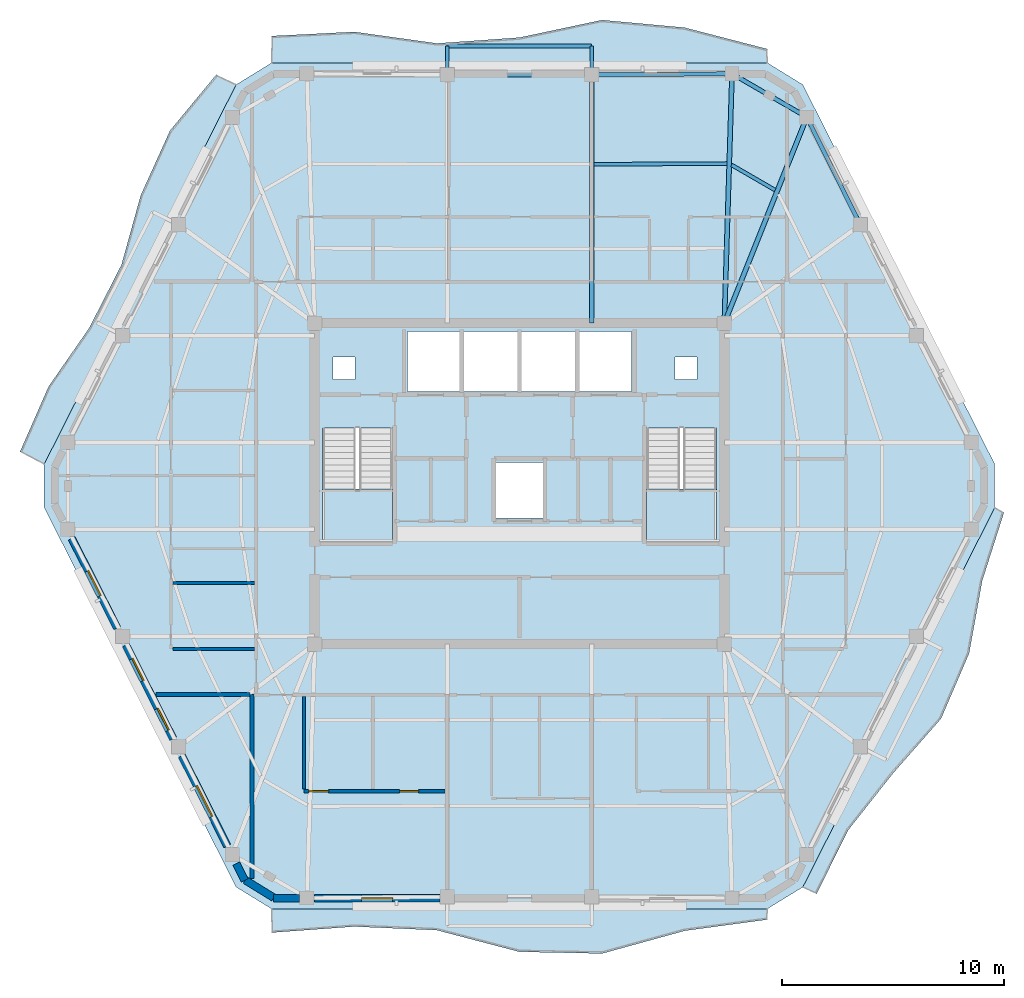
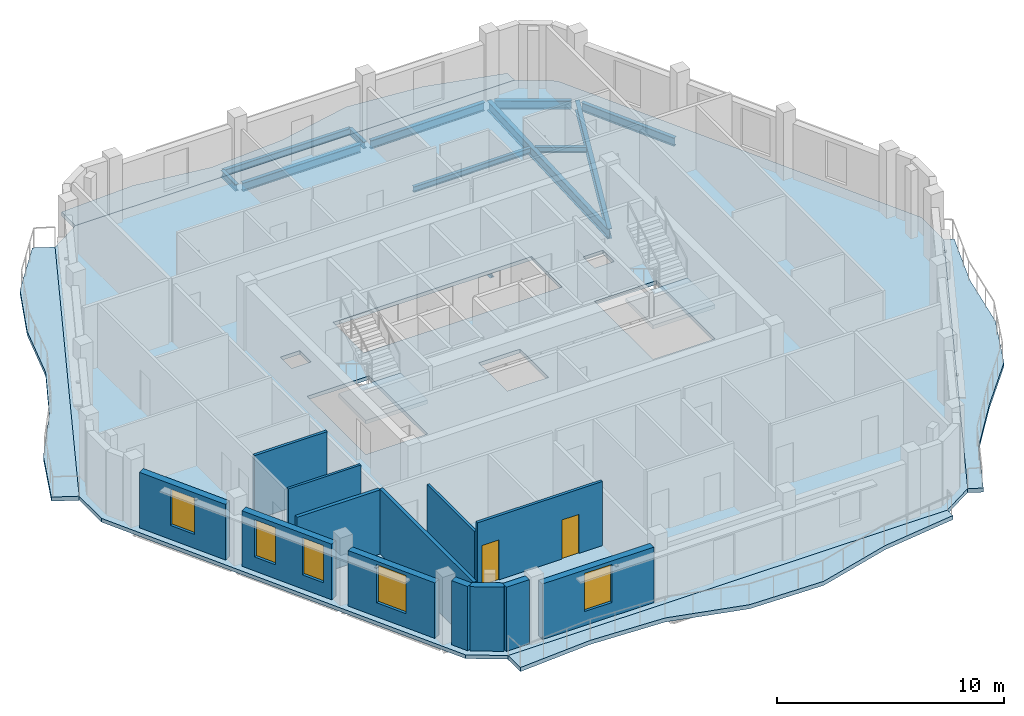
# One storey, part 3 of 12: 13 walls, 12 beams, 7 slabs, 5 windows, 2 doors, 7 openings, 2 elements without a shape of their own.
"""IFC4 building model written with IfcOpenShell, lengths in metres."""

from ifc_helpers import new_model, si_unit, direction, frame, frame_2d, origin, origin_2d, place, context, subcontext, project, spatial, polyline, rectangle, i_section, outline, extrude, material, layer, layer_set, material_profile, profile_set, type_object, element, fill, aggregate, save


model = new_model("IFC4")

# Units and contexts
model_context = context("Model", 3, precision=1e-05, world=origin(), true_north=direction((0.0, 1.0)))
body_context = subcontext(model_context, "Body", "Model", "MODEL_VIEW")
ifc_project = project(units=[si_unit("LENGTHUNIT", "METRE"), si_unit("AREAUNIT", "SQUARE_METRE"), si_unit("VOLUMEUNIT", "CUBIC_METRE"), si_unit("PLANEANGLEUNIT", "RADIAN"), si_unit("MASSUNIT", "GRAM", prefix="KILO")], contexts=[model_context])

# Site, building, storey
site_placement = place(None, origin())
site = spatial("IfcSite", under=ifc_project, at=site_placement, CompositionType="ELEMENT")
building_placement = place(site_placement, origin())
building = spatial("IfcBuilding", under=site, at=building_placement, Name="Cinnabar Lancet Tower", CompositionType="ELEMENT")
storey_placement = place(building_placement, frame((0.0, 0.0, 270.800048828125)))
storey = spatial("IfcBuildingStorey", under=building, at=storey_placement, Name="L72", CompositionType="ELEMENT", Elevation=270.800048828125)

# Beams
ifc_material_1 = material(Name="Structural steel S355", Category="steel")
ifc_material_profile_1 = material_profile(ifc_material_1, i_section(OverallWidth=0.1650390625, OverallDepth=0.303466796875, WebThickness=0.006103515625, FlangeThickness=0.01025390625, FilletRadius=0.0087890625, at=origin_2d()), Name="UKB 305x165x40")
ifc_profile_set_1 = profile_set([ifc_material_profile_1], Name="Structural steel S355")
beam_type_1 = type_object("IfcBeamType", Name="STR-BM-JST-305", PredefinedType="JOIST", material=ifc_profile_set_1)
beam_1_placement = place(storey_placement, frame((43.912109375, 39.1201171875, -0.35205078125), z_axis=(-0.865426285481, 0.501036270542, 0.0), x_axis=(-0.501036270542, -0.865426285481, 0.0)))
element("IfcBeam", 1, at=beam_1_placement, inside=storey, type_object=beam_type_1, Name="L72 Secondary Floor Joist 29", PredefinedType="JOIST", context=body_context, shape_type="SweptSolid", body=[
    extrude(i_section(OverallWidth=0.1650390625, OverallDepth=0.303466796875, WebThickness=0.006103515625, FlangeThickness=0.01025390625, FilletRadius=0.0087890625, at=origin_2d()), origin(), (0.0, 0.0, 1.0), 2.267333984375),
])
beam_2_placement = place(storey_placement, frame((41.741943359375, 40.31494140625, -0.35205078125), z_axis=(-0.999985712428, -0.005345553266, 0.0), x_axis=(0.005345553266, -0.999985712428, 0.0)))
element("IfcBeam", 2, at=beam_2_placement, inside=storey, type_object=beam_type_1, Name="L72 Secondary Floor Joist 30", PredefinedType="JOIST", context=body_context, shape_type="SweptSolid", body=[
    extrude(i_section(OverallWidth=0.1650390625, OverallDepth=0.303466796875, WebThickness=0.006103515625, FlangeThickness=0.01025390625, FilletRadius=0.0087890625, at=origin_2d()), origin(), (0.0, 0.0, 1.0), 5.98291015625),
])
ifc_material_2 = material(Name="Structural steel S355", Category="steel")
ifc_material_profile_2 = material_profile(ifc_material_2, i_section(OverallWidth=0.1904296875, OverallDepth=0.45703125, WebThickness=0.009033203125, FlangeThickness=0.014404296875, FilletRadius=0.01025390625, at=origin_2d()), Name="UKB 457x191x74")
ifc_profile_set_2 = profile_set([ifc_material_profile_2], Name="Structural steel S355")
beam_type_2 = type_object("IfcBeamType", Name="STR-BM-SPN-457", PredefinedType="SPANDREL", material=ifc_profile_set_2)
beam_3_placement = place(storey_placement, frame((47.637939453125, 37.778076171875, -0.427978515625), z_axis=(-0.444372599207, 0.895842058107, 0.0), x_axis=(-0.895842058107, -0.444372599207, 0.0)))
element("IfcBeam", 3, at=beam_3_placement, inside=storey, type_object=beam_type_2, Name="L72 Perimeter Spandrel 11", PredefinedType="SPANDREL", context=body_context, shape_type="SweptSolid", body=[
    extrude(i_section(OverallWidth=0.1904296875, OverallDepth=0.45703125, WebThickness=0.009033203125, FlangeThickness=0.014404296875, FilletRadius=0.01025390625, at=origin_2d()), origin(), (0.0, 0.0, 1.0), 4.91943359375),
])
beam_4_placement = place(storey_placement, frame((45.125, 42.533935546875, -0.427978515625), z_axis=(-0.865199693264, 0.501427453153, 0.0), x_axis=(-0.501427453153, -0.865199693264, 0.0)))
element("IfcBeam", 4, at=beam_4_placement, inside=storey, type_object=beam_type_2, Name="L72 Perimeter Spandrel 12", PredefinedType="SPANDREL", context=body_context, shape_type="SweptSolid", body=[
    extrude(i_section(OverallWidth=0.1904296875, OverallDepth=0.45703125, WebThickness=0.009033203125, FlangeThickness=0.014404296875, FilletRadius=0.01025390625, at=origin_2d()), origin(), (0.0, 0.0, 1.0), 3.39453125),
])
beam_5_placement = place(storey_placement, frame((41.721923828125, 44.35888671875, -0.427978515625), z_axis=(-0.999964782464, -0.008392486634, 0.0), x_axis=(0.008392486634, -0.999964782464, 0.0)))
element("IfcBeam", 5, at=beam_5_placement, inside=storey, type_object=beam_type_2, Name="L72 Perimeter Spandrel 13", PredefinedType="SPANDREL", context=body_context, shape_type="SweptSolid", body=[
    extrude(i_section(OverallWidth=0.1904296875, OverallDepth=0.45703125, WebThickness=0.009033203125, FlangeThickness=0.014404296875, FilletRadius=0.01025390625, at=origin_2d()), origin(), (0.0, 0.0, 1.0), 5.818115234375),
])
beam_6_placement = place(storey_placement, frame((35.404052734375, 44.30810546875, -0.427978515625), z_axis=(-1.0, 0.0, 0.0), x_axis=(0.0, -1.0, 0.0)))
element("IfcBeam", 6, at=beam_6_placement, inside=storey, type_object=beam_type_2, Name="L72 Perimeter Spandrel 14", PredefinedType="SPANDREL", context=body_context, shape_type="SweptSolid", body=[
    extrude(i_section(OverallWidth=0.1904296875, OverallDepth=0.45703125, WebThickness=0.009033203125, FlangeThickness=0.014404296875, FilletRadius=0.01025390625, at=origin_2d()), origin(), (0.0, 0.0, 1.0), 6.008056640625),
])
ifc_material_3 = material(Name="Structural steel S355", Category="steel")
ifc_material_profile_3 = material_profile(ifc_material_3, i_section(OverallWidth=0.209228515625, OverallDepth=0.533203125, WebThickness=0.010009765625, FlangeThickness=0.015625, FilletRadius=0.0126953125, at=origin_2d()), Name="UKB 533x210x92")
ifc_profile_set_3 = profile_set([ifc_material_profile_3], Name="Structural steel S355")
beam_type_3 = type_object("IfcBeamType", Name="STR-BM-UKB533-92", PredefinedType="BEAM", material=ifc_profile_set_3)
beam_7_placement = place(storey_placement, frame((45.341064453125, 42.408935546875, -0.467041015625), z_axis=(-0.371605341166, -0.928390796172, 0.0), x_axis=(0.928390796172, -0.371605341166, 0.0)))
element("IfcBeam", 7, at=beam_7_placement, inside=storey, type_object=beam_type_3, Name="L72 Primary Floor Girder 12", PredefinedType="BEAM", context=body_context, shape_type="SweptSolid", body=[
    extrude(i_section(OverallWidth=0.209228515625, OverallDepth=0.533203125, WebThickness=0.010009765625, FlangeThickness=0.015625, FilletRadius=0.0126953125, at=origin_2d()), origin(), (0.0, 0.0, 1.0), 10.0),
])
beam_8_placement = place(storey_placement, frame((41.971923828125, 44.361083984375, -0.467041015625), z_axis=(-0.030861159652, -0.999523680973, 0.0), x_axis=(0.999523680973, -0.030861159652, 0.0)))
element("IfcBeam", 8, at=beam_8_placement, inside=storey, type_object=beam_type_3, Name="L72 Primary Floor Girder 13", PredefinedType="BEAM", context=body_context, shape_type="SweptSolid", body=[
    extrude(i_section(OverallWidth=0.209228515625, OverallDepth=0.533203125, WebThickness=0.010009765625, FlangeThickness=0.015625, FilletRadius=0.0126953125, at=origin_2d()), origin(), (0.0, 0.0, 1.0), 11.241455078125),
])
beam_9_placement = place(storey_placement, frame((35.654052734375, 44.30810546875, -0.467041015625), z_axis=(0.0, -1.0, 0.0), x_axis=(1.0, 0.0, 0.0)))
element("IfcBeam", 9, at=beam_9_placement, inside=storey, type_object=beam_type_3, Name="L72 Primary Floor Girder 14", PredefinedType="BEAM", context=body_context, shape_type="SweptSolid", body=[
    extrude(i_section(OverallWidth=0.209228515625, OverallDepth=0.533203125, WebThickness=0.010009765625, FlangeThickness=0.015625, FilletRadius=0.0126953125, at=origin_2d()), origin(), (0.0, 0.0, 1.0), 11.18310546875),
])
ifc_material_4 = material(Name="Structural steel S355", Category="steel")
ifc_material_profile_4 = material_profile(ifc_material_4, i_section(OverallWidth=0.17138671875, OverallDepth=0.35498046875, WebThickness=0.00732421875, FlangeThickness=0.011474609375, FilletRadius=0.01025390625, at=origin_2d()), Name="UKB 356x171x51")
ifc_profile_set_4 = profile_set([ifc_material_profile_4], Name="Structural steel S355")
beam_type_4 = type_object("IfcBeamType", Name="STR-BM-WAV-OUT", PredefinedType="BEAM", material=ifc_profile_set_4)
for number, where, z_axis, x_axis, name in (
    (10, (35.654052734375, 44.30810546875, -0.39794921875), (0.0, 1.0, 0.0), (-1.0, 0.0, 0.0), "L72 Face 4 Balcony Outlooker A"),
    (11, (29.14599609375, 44.30810546875, -0.39794921875), (0.0, 1.0, 0.0), (-1.0, 0.0, 0.0), "L72 Face 4 Balcony Outlooker B"),
):
    element("IfcBeam", number, at=place(storey_placement, frame(where, z_axis=z_axis, x_axis=x_axis)), inside=storey, type_object=beam_type_4, Name=name, PredefinedType="BEAM", context=body_context, shape_type="SweptSolid", body=[
        extrude(i_section(OverallWidth=0.17138671875, OverallDepth=0.35498046875, WebThickness=0.00732421875, FlangeThickness=0.011474609375, FilletRadius=0.01025390625, at=origin_2d()), origin(), (0.0, 0.0, 1.0), 1.2998046875),
    ])
ifc_material_5 = material(Name="Structural steel S355", Category="steel")
ifc_material_profile_5 = material_profile(ifc_material_5, i_section(OverallWidth=0.17138671875, OverallDepth=0.35498046875, WebThickness=0.00732421875, FlangeThickness=0.011474609375, FilletRadius=0.01025390625, at=origin_2d()), Name="UKB 356x171x51")
ifc_profile_set_5 = profile_set([ifc_material_profile_5], Name="Structural steel S355")
beam_type_5 = type_object("IfcBeamType", Name="STR-BM-WAV-TRIM", PredefinedType="SPANDREL", material=ifc_profile_set_5)
beam_10_placement = place(storey_placement, frame((35.654052734375, 45.60791015625, -0.39794921875), z_axis=(-1.0, 0.0, 0.0), x_axis=(0.0, -1.0, 0.0)))
element("IfcBeam", 12, at=beam_10_placement, inside=storey, type_object=beam_type_5, Name="L72 Face 4 Balcony Edge Trimmer", PredefinedType="SPANDREL", context=body_context, shape_type="SweptSolid", body=[
    extrude(i_section(OverallWidth=0.17138671875, OverallDepth=0.35498046875, WebThickness=0.00732421875, FlangeThickness=0.011474609375, FilletRadius=0.01025390625, at=origin_2d()), origin(), (0.0, 0.0, 1.0), 6.508056640625),
])

# Stair, slab
ifc_material_6 = material(Name="Concrete C40/50", Category="concrete")
stair_type = type_object("IfcStairType", Name="ST-CORE", PredefinedType="HALF_TURN_STAIR", material=ifc_material_6)
stair_1_placement = place(storey_placement, origin())
stair_1 = element("IfcStair", 13, at=stair_1_placement, inside=storey, type_object=stair_type, Name="L72 ST-1", PredefinedType="HALF_TURN_STAIR")
ifc_material_7 = material(Name="Concrete C40/50", Category="concrete")
ifc_layer_1 = layer(ifc_material_7, 0.199951171875)
ifc_layer_set_1 = layer_set([ifc_layer_1], Name="Concrete C40/50")
slab_type_1 = type_object("IfcSlabType", Name="LANDING-CORE", PredefinedType="LANDING", material=ifc_layer_set_1)
slab_1_placement = place(storey_placement, frame((0.0, 0.0, 1.625)))
slab_1 = element("IfcSlab", 14, at=slab_1_placement, type_object=slab_type_1, Name="ST-1 landing 1", PredefinedType="LANDING", context=body_context, shape_type="SweptSolid", body=[
    extrude(outline(polyline([(23.52490234375, 25.64990234375), (23.52490234375, 23.25), (26.675048828125, 23.25), (26.675048828125, 25.64990234375), (23.52490234375, 25.64990234375)])), origin(), (0.0, 0.0, 1.0), 0.199951171875),
])
aggregate(stair_1, [slab_1])

stair_2_placement = place(storey_placement, origin())
stair_2 = element("IfcStair", 15, at=stair_2_placement, inside=storey, type_object=stair_type, Name="L72 ST-2", PredefinedType="HALF_TURN_STAIR")
slab_2_placement = place(storey_placement, frame((0.0, 0.0, 1.625)))
slab_2 = element("IfcSlab", 16, at=slab_2_placement, type_object=slab_type_1, Name="ST-2 landing 1", PredefinedType="LANDING", context=body_context, shape_type="SweptSolid", body=[
    extrude(outline(polyline([(38.125, 25.64990234375), (38.125, 23.25), (41.27490234375, 23.25), (41.27490234375, 25.64990234375), (38.125, 25.64990234375)])), origin(), (0.0, 0.0, 1.0), 0.199951171875),
])
aggregate(stair_2, [slab_2])

# Slabs
ifc_material_8 = material(Name="Concrete C40/50", Category="concrete")
ifc_layer_2 = layer(ifc_material_8, 0.199951171875)
ifc_layer_set_2 = layer_set([ifc_layer_2], Name="Concrete C40/50")
slab_type_2 = type_object("IfcSlabType", Name="STR-SLB-FLR-200", PredefinedType="FLOOR", material=ifc_layer_set_2)
slab_3_placement = place(storey_placement, frame((0.0, 0.0, -0.199951171875)))
element("IfcSlab", 17, at=slab_3_placement, inside=storey, type_object=slab_type_2, Name="L72 Structural Floor Slab", PredefinedType="FLOOR", context=body_context, shape_type="SweptSolid", body=[
    extrude(outline(polyline([(19.638916015625, 7.73193359375), (21.236083984375, 6.75), (43.56396484375, 6.75), (45.160888671875, 7.73193359375), (53.802978515625, 24.818115234375), (53.802978515625, 26.781982421875), (45.160888671875, 43.867919921875), (43.56396484375, 44.85009765625), (21.236083984375, 44.85009765625), (19.638916015625, 43.867919921875), (10.9970703125, 26.781982421875), (10.9970703125, 24.818115234375), (19.638916015625, 7.73193359375)]), holes=[polyline([(23.52490234375, 23.25), (26.675048828125, 23.25), (26.675048828125, 28.3994140625), (23.52490234375, 28.3994140625), (23.52490234375, 23.25)]), polyline([(38.125, 23.25), (41.27490234375, 23.25), (41.27490234375, 28.3994140625), (38.125, 28.3994140625), (38.125, 23.25)]), polyline([(27.35009765625, 30.050048828125), (37.449951171875, 30.050048828125), (37.449951171875, 32.75), (27.35009765625, 32.75), (27.35009765625, 30.050048828125)]), polyline([(31.35009765625, 24.35009765625), (33.449951171875, 24.35009765625), (33.449951171875, 26.85009765625), (31.35009765625, 26.85009765625), (31.35009765625, 24.35009765625)]), polyline([(24.0, 30.60009765625), (25.0, 30.60009765625), (25.0, 31.60009765625), (24.0, 31.60009765625), (24.0, 30.60009765625)]), polyline([(39.39990234375, 30.60009765625), (40.39990234375, 30.60009765625), (40.39990234375, 31.60009765625), (39.39990234375, 31.60009765625), (39.39990234375, 30.60009765625)])]), origin(), (0.0, 0.0, 1.0), 0.199951171875),
])
ifc_material_9 = material(Name="Concrete C45/55", Category="concrete")
ifc_layer_3 = layer(ifc_material_9, 0.219970703125)
ifc_layer_set_3 = layer_set([ifc_layer_3], Name="Concrete C45/55")
slab_type_3 = type_object("IfcSlabType", Name="STR-SLB-WAV-220", PredefinedType="FLOOR", material=ifc_layer_set_3)
slab_4_placement = place(storey_placement, frame((0.0, 0.0, -0.219970703125)))
element("IfcSlab", 18, at=slab_4_placement, inside=storey, type_object=slab_type_3, Name="L72 Face 1 Undulating Wave Balcony Slab", PredefinedType="FLOOR", context=body_context, shape_type="SweptSolid", body=[
    extrude(outline(polyline([(21.236083984375, 6.75), (21.236083984375, 5.680908203125), (24.95703125, 5.951904296875), (28.678955078125, 5.7890625), (32.39990234375, 4.81396484375), (36.12109375, 4.738037109375), (39.843017578125, 5.762939453125), (43.56396484375, 6.26708984375), (43.56396484375, 6.75), (21.236083984375, 6.75)])), origin(), (0.0, 0.0, 1.0), 0.219970703125),
])
slab_5_placement = place(storey_placement, frame((0.0, 0.0, -0.219970703125)))
element("IfcSlab", 19, at=slab_5_placement, inside=storey, type_object=slab_type_3, Name="L72 Face 2 Undulating Wave Balcony Slab", PredefinedType="FLOOR", context=body_context, shape_type="SweptSolid", body=[
    extrude(outline(polyline([(45.160888671875, 7.73193359375), (45.779052734375, 7.419921875), (47.19189453125, 10.281005859375), (49.2080078125, 12.8369140625), (51.384033203125, 15.31298828125), (52.64697265625, 18.25), (53.240966796875, 21.52587890625), (54.220947265625, 24.60595703125), (53.802978515625, 24.818115234375), (45.160888671875, 7.73193359375)])), origin(), (0.0, 0.0, 1.0), 0.219970703125),
])
slab_6_placement = place(storey_placement, frame((0.0, 0.0, -0.219970703125)))
element("IfcSlab", 20, at=slab_6_placement, inside=storey, type_object=slab_type_3, Name="L72 Face 4 Undulating Wave Balcony Slab", PredefinedType="FLOOR", context=body_context, shape_type="SweptSolid", body=[
    extrude(outline(polyline([(43.56396484375, 44.85009765625), (43.56396484375, 45.47412109375), (39.843017578125, 46.43798828125), (36.12109375, 46.781005859375), (32.39990234375, 45.991943359375), (28.678955078125, 45.72900390625), (24.95703125, 46.248046875), (21.236083984375, 46.06005859375), (21.236083984375, 44.85009765625), (43.56396484375, 44.85009765625)])), origin(), (0.0, 0.0, 1.0), 0.219970703125),
])
slab_7_placement = place(storey_placement, frame((0.0, 0.0, -0.219970703125)))
element("IfcSlab", 21, at=slab_7_placement, inside=storey, type_object=slab_type_3, Name="L72 Face 5 Undulating Wave Balcony Slab", PredefinedType="FLOOR", context=body_context, shape_type="SweptSolid", body=[
    extrude(outline(polyline([(19.638916015625, 43.867919921875), (18.74609375, 44.320068359375), (16.660888671875, 41.798095703125), (15.343994140625, 38.887939453125), (14.47412109375, 35.751953125), (13.02197265625, 32.909912109375), (11.18701171875, 30.261962890625), (9.905029296875, 27.333984375), (10.9970703125, 26.781982421875), (19.638916015625, 43.867919921875)])), origin(), (0.0, 0.0, 1.0), 0.219970703125),
])

# Walls
ifc_material_10 = material(Name="Fire-rated twin-frame acoustic drywall", Category="gypsum")
ifc_layer_4 = layer(ifc_material_10, 0.179931640625)
ifc_layer_set_4 = layer_set([ifc_layer_4], Name="Fire-rated twin-frame acoustic drywall")
wall_type_1 = type_object("IfcWallType", Name="ARC-WL-PARTY-180", PredefinedType="PARTITIONING", material=ifc_layer_set_4)
wall_1_placement = place(storey_placement, frame((20.35009765625, 8.118896484375, 0.0), z_axis=(0.0, 0.0, 1.0), x_axis=(0.0, 1.0, 0.0)))
element("IfcWall", 22, at=wall_1_placement, inside=storey, type_object=wall_type_1, Name="PW-L72-SPTY-204", PredefinedType="PARTITIONING", context=body_context, shape_type="SweptSolid", body=[
    extrude(rectangle(XDim=8.281005859375, YDim=0.179931640625, at=frame_2d((4.140625, 0.0))), origin(), (0.0, 0.0, 1.0), 3.449951171875),
])
wall_2_placement = place(storey_placement, frame((16.033935546875, 16.39990234375, 0.0), z_axis=(0.0, 0.0, 1.0), x_axis=(1.0, 0.0, 0.0)))
element("IfcWall", 23, at=wall_2_placement, inside=storey, type_object=wall_type_1, Name="PW-L72-WSB", PredefinedType="PARTITIONING", context=body_context, shape_type="SweptSolid", body=[
    extrude(rectangle(XDim=4.220947265625, YDim=0.179931640625, at=frame_2d((2.1103515625, 0.0))), origin(), (0.0, 0.0, 1.0), 3.449951171875),
])
ifc_material_11 = material(Name="Gypsum plasterboard stud partition", Category="gypsum")
ifc_layer_5 = layer(ifc_material_11, 0.125)
ifc_layer_set_5 = layer_set([ifc_layer_5], Name="Gypsum plasterboard stud partition")
wall_type_2 = type_object("IfcWallType", Name="ARC-WL-UNIT-125", PredefinedType="PARTITIONING", material=ifc_layer_set_5)
wall_3_placement = place(storey_placement, frame((22.699951171875, 12.15087890625, 0.0), z_axis=(0.0, 0.0, 1.0), x_axis=(0.0, 1.0, 0.0)))
element("IfcWall", 24, at=wall_3_placement, inside=storey, type_object=wall_type_2, Name="UW-L72-S01-FOYE", PredefinedType="PARTITIONING", context=body_context, shape_type="SweptSolid", body=[
    extrude(rectangle(XDim=4.1640625, YDim=0.125, at=frame_2d((2.08203125, 0.0))), origin(), (0.0, 0.0, 1.0), 2.906982421875),
])
wall_4_placement = place(storey_placement, frame((16.784912109375, 18.449951171875, 0.0), z_axis=(0.0, 0.0, 1.0), x_axis=(1.0, 0.0, 0.0)))
element("IfcWall", 25, at=wall_4_placement, inside=storey, type_object=wall_type_2, Name="UW-L72-W01-FOYN", PredefinedType="PARTITIONING", context=body_context, shape_type="SweptSolid", body=[
    extrude(rectangle(XDim=3.68017578125, YDim=0.125, at=frame_2d((1.840087890625, 0.0))), origin(), (0.0, 0.0, 1.0), 3.449951171875),
])

# Wall, openings, doors
ifc_material_12 = material(Name="Moisture-resistant cement-board plumbing wall", Category="masonry")
ifc_layer_6 = layer(ifc_material_12, 0.139892578125)
ifc_layer_set_6 = layer_set([ifc_layer_6], Name="Moisture-resistant cement-board plumbing wall")
wall_type_3 = type_object("IfcWallType", Name="ARC-WL-WET-140", PredefinedType="PLUMBINGWALL", material=ifc_layer_set_6)
wall_5_placement = place(storey_placement, frame((22.699951171875, 12.0458984375, 0.0), z_axis=(0.0, 0.0, 1.0), x_axis=(1.0, 0.0, 0.0)))
wall_5 = element("IfcWall", 26, at=wall_5_placement, inside=storey, type_object=wall_type_3, Name="UW-L72-S01-SPL", PredefinedType="PLUMBINGWALL", context=body_context, shape_type="SweptSolid", body=[
    extrude(rectangle(XDim=6.35107421875, YDim=0.139892578125, at=frame_2d((3.175537109375, 0.0))), origin(), (0.0, 0.0, 1.0), 3.449951171875),
])
opening_1_placement = place(wall_5_placement, frame((4.298095703125, 0.0, 0.0)))
opening_1 = element("IfcOpeningElement", 27, at=opening_1_placement, cuts=wall_5, Name="Opening BD-01", PredefinedType="OPENING", context=body_context, shape_type="SweptSolid", body=[
    extrude(rectangle(XDim=0.860107421875, YDim=2.10009765625, at=frame_2d((0.43017578125, 1.050048828125))), frame((0.0, 0.079833984375, 0.0), z_axis=(0.0, -1.0, 0.0), x_axis=(1.0, 0.0, 0.0)), (0.0, 0.0, 1.0), 0.159912109375),
])
opening_2_placement = place(wall_5_placement, frame((0.219970703125, 0.0, 0.0)))
opening_2 = element("IfcOpeningElement", 28, at=opening_2_placement, cuts=wall_5, Name="Opening RD-02", PredefinedType="OPENING", context=body_context, shape_type="SweptSolid", body=[
    extrude(rectangle(XDim=0.8798828125, YDim=2.14990234375, at=frame_2d((0.43994140625, 1.074951171875))), frame((0.0, 0.079833984375, 0.0), z_axis=(0.0, -1.0, 0.0), x_axis=(1.0, 0.0, 0.0)), (0.0, 0.0, 1.0), 0.159912109375),
])
ifc_material_13 = material(Name="Moisture-resistant timber bathroom door", Category="wood")
door_type_1 = type_object("IfcDoorType", Name="ARC-DR-BATH", OperationType="NOTDEFINED", PredefinedType="DOOR", material=ifc_material_13)
door_1_placement = place(opening_1_placement, origin())
door_1 = element("IfcDoor", 29, at=door_1_placement, inside=storey, type_object=door_type_1, Name="DR-L72-S01-BTH", OperationType="SINGLE_SWING_RIGHT", OverallHeight=2.10009765625, OverallWidth=0.860107421875, PredefinedType="DOOR", context=body_context, shape_type="SweptSolid", body=[
    extrude(rectangle(XDim=0.860107421875, YDim=2.10009765625, at=frame_2d((0.43017578125, 1.050048828125))), frame((0.0, 0.02490234375, 0.0), z_axis=(0.0, -1.0, 0.0), x_axis=(1.0, 0.0, 0.0)), (0.0, 0.0, 1.0), 0.050048828125),
])
fill(opening_1, door_1)
ifc_material_14 = material(Name="Engineered timber study door", Category="wood")
door_type_2 = type_object("IfcDoorType", Name="ARC-DR-STUDY", OperationType="NOTDEFINED", PredefinedType="DOOR", material=ifc_material_14)
door_2_placement = place(opening_2_placement, origin())
door_2 = element("IfcDoor", 30, at=door_2_placement, inside=storey, type_object=door_type_2, Name="DR-L72-S01-KIT", OperationType="SINGLE_SWING_LEFT", OverallHeight=2.14990234375, OverallWidth=0.8798828125, PredefinedType="DOOR", context=body_context, shape_type="SweptSolid", body=[
    extrude(rectangle(XDim=0.8798828125, YDim=2.14990234375, at=frame_2d((0.43994140625, 1.074951171875))), frame((0.0, 0.02490234375, 0.0), z_axis=(0.0, -1.0, 0.0), x_axis=(1.0, 0.0, 0.0)), (0.0, 0.0, 1.0), 0.050048828125),
])
fill(opening_2, door_2)

# Walls
wall_6_placement = place(storey_placement, frame((16.784912109375, 21.4169921875, 0.0), z_axis=(0.0, 0.0, 1.0), x_axis=(1.0, 0.0, 0.0)))
element("IfcWall", 31, at=wall_6_placement, inside=storey, type_object=wall_type_3, Name="UW-L72-W01-KDV", PredefinedType="PLUMBINGWALL", context=body_context, shape_type="SweptSolid", body=[
    extrude(rectangle(XDim=3.68017578125, YDim=0.139892578125, at=frame_2d((1.840087890625, 0.0))), origin(), (0.0, 0.0, 1.0), 3.449951171875),
])
ifc_material_15 = material(Name="Cinnabar red clay brick", Category="masonry")
ifc_layer_7 = layer(ifc_material_15, 0.340087890625)
ifc_layer_set_7 = layer_set([ifc_layer_7], Name="Cinnabar red clay brick")
wall_type_4 = type_object("IfcWallType", Name="ENV-WL-BRK-RED-340", PredefinedType="STANDARD", material=ifc_layer_set_7)
wall_7_placement = place(storey_placement, frame((20.047119140625, 8.044921875, 0.0), z_axis=(0.0, 0.0, 1.0), x_axis=(0.851680557619, -0.52406128246, 0.0)))
element("IfcWall", 32, at=wall_7_placement, inside=storey, type_object=wall_type_4, Name="L72 Chamfered Corner Brick Pier 1.1", PredefinedType="STANDARD", context=body_context, shape_type="SweptSolid", body=[
    extrude(rectangle(XDim=1.507568359375, YDim=0.340087890625, at=frame_2d((0.75390625, 0.0))), origin(), (0.0, 0.0, 1.0), 3.449951171875),
])
wall_8_placement = place(storey_placement, frame((21.325927734375, 7.22998046875, 0.0), z_axis=(0.0, 0.0, 1.0), x_axis=(1.0, 0.0, 0.0)))
element("IfcWall", 33, at=wall_8_placement, inside=storey, type_object=wall_type_4, Name="L72 Face 1 Masonry Bay Wall 1", PredefinedType="STANDARD", context=body_context, shape_type="SweptSolid", body=[
    extrude(rectangle(XDim=1.173095703125, YDim=0.340087890625, at=frame_2d((0.58642578125, 0.0))), origin(), (0.0, 0.0, 1.0), 3.449951171875),
])

# Wall, opening, window
wall_9_placement = place(storey_placement, frame((23.156982421875, 7.22998046875, 0.0), z_axis=(0.0, 0.0, 1.0), x_axis=(1.0, 0.0, 0.0)))
wall_9 = element("IfcWall", 34, at=wall_9_placement, inside=storey, type_object=wall_type_4, Name="L72 Face 1 Masonry Bay Wall 2", PredefinedType="STANDARD", context=body_context, shape_type="SweptSolid", body=[
    extrude(rectangle(XDim=5.659912109375, YDim=0.340087890625, at=frame_2d((2.830078125, 0.0))), origin(), (0.0, 0.0, 1.0), 2.98291015625),
])
opening_3_placement = place(wall_9_placement, frame((2.1298828125, 0.0, 0.75)))
opening_3 = element("IfcOpeningElement", 35, at=opening_3_placement, cuts=wall_9, Name="Opening WN-02", PredefinedType="OPENING", context=body_context, shape_type="SweptSolid", body=[
    extrude(rectangle(XDim=1.39990234375, YDim=2.050048828125, at=frame_2d((0.699951171875, 1.02490234375))), frame((0.0, 0.179931640625, 0.0), z_axis=(0.0, -1.0, 0.0), x_axis=(1.0, 0.0, 0.0)), (0.0, 0.0, 1.0), 0.360107421875),
])
ifc_material_16 = material(Name="Thermally broken bronze-anodized aluminium low-E double glazing", Category="aluminium")
window_type_1 = type_object("IfcWindowType", Name="ENV-WN-LANCET-1400", PartitioningType="SINGLE_PANEL", PredefinedType="WINDOW", material=ifc_material_16)
window_1_placement = place(opening_3_placement, origin())
window_1 = element("IfcWindow", 36, at=window_1_placement, inside=storey, type_object=window_type_1, Name="L72 Face 1 Gothic Lancet Window 2", OverallHeight=2.050048828125, OverallWidth=1.39990234375, PartitioningType="SINGLE_PANEL", PredefinedType="WINDOW", context=body_context, shape_type="SweptSolid", body=[
    extrude(rectangle(XDim=1.39990234375, YDim=2.050048828125, at=frame_2d((0.699951171875, 1.02490234375))), frame((0.0, 0.030029296875, 0.0), z_axis=(0.0, -1.0, 0.0), x_axis=(1.0, 0.0, 0.0)), (0.0, 0.0, 1.0), 0.06005859375),
])
fill(opening_3, window_1)

wall_10_placement = place(storey_placement, frame((12.23193359375, 23.43896484375, 0.0), z_axis=(0.0, 0.0, 1.0), x_axis=(0.45147697324, -0.892282770558, 0.0)))
wall_10 = element("IfcWall", 37, at=wall_10_placement, inside=storey, type_object=wall_type_4, Name="L72 Face 6 Masonry Bay Wall 2", PredefinedType="STANDARD", context=body_context, shape_type="SweptSolid", body=[
    extrude(rectangle(XDim=4.530029296875, YDim=0.340087890625, at=frame_2d((2.26513671875, 0.0))), origin(), (0.0, 0.0, 1.0), 2.98291015625),
])
opening_4_placement = place(wall_10_placement, frame((1.639892578125, 0.0, 0.75)))
opening_4 = element("IfcOpeningElement", 38, at=opening_4_placement, cuts=wall_10, Name="Opening WN-03", PredefinedType="OPENING", context=body_context, shape_type="SweptSolid", body=[
    extrude(rectangle(XDim=1.25, YDim=1.949951171875, at=frame_2d((0.625, 0.97509765625))), frame((0.0, 0.179931640625, 0.0), z_axis=(0.0, -1.0, 0.0), x_axis=(1.0, 0.0, 0.0)), (0.0, 0.0, 1.0), 0.360107421875),
])
ifc_material_17 = material(Name="Thermally broken bronze-anodized aluminium low-E double glazing", Category="aluminium")
window_type_2 = type_object("IfcWindowType", Name="ENV-WN-LANCET-1250", PartitioningType="SINGLE_PANEL", PredefinedType="WINDOW", material=ifc_material_17)
window_2_placement = place(opening_4_placement, origin())
window_2 = element("IfcWindow", 39, at=window_2_placement, inside=storey, type_object=window_type_2, Name="L72 Face 6 Gothic Lancet Window 2", OverallHeight=1.949951171875, OverallWidth=1.25, PartitioningType="SINGLE_PANEL", PredefinedType="WINDOW", context=body_context, shape_type="SweptSolid", body=[
    extrude(rectangle(XDim=1.25, YDim=1.949951171875, at=frame_2d((0.625, 0.97509765625))), frame((0.0, 0.030029296875, 0.0), z_axis=(0.0, -1.0, 0.0), x_axis=(1.0, 0.0, 0.0)), (0.0, 0.0, 1.0), 0.06005859375),
])
fill(opening_4, window_2)

# Wall, openings, windows
wall_11_placement = place(storey_placement, frame((14.666015625, 18.626953125, 0.0), z_axis=(0.0, 0.0, 1.0), x_axis=(0.451468341582, -0.892287137949, 0.0)))
wall_11 = element("IfcWall", 40, at=wall_11_placement, inside=storey, type_object=wall_type_4, Name="L72 Face 6 Masonry Bay Wall 3", PredefinedType="STANDARD", context=body_context, shape_type="SweptSolid", body=[
    extrude(rectangle(XDim=4.72265625, YDim=0.340087890625, at=frame_2d((2.361328125, 0.0))), origin(), (0.0, 0.0, 1.0), 2.98291015625),
])
opening_5_placement = place(wall_11_placement, frame((0.677001953125, 0.0, 0.75)))
opening_5 = element("IfcOpeningElement", 41, at=opening_5_placement, cuts=wall_11, Name="Opening WN-04", PredefinedType="OPENING", context=body_context, shape_type="SweptSolid", body=[
    extrude(rectangle(XDim=1.10009765625, YDim=2.0, at=frame_2d((0.550048828125, 1.0))), frame((0.0, 0.179931640625, 0.0), z_axis=(0.0, -1.0, 0.0), x_axis=(1.0, 0.0, 0.0)), (0.0, 0.0, 1.0), 0.360107421875),
])
opening_6_placement = place(wall_11_placement, frame((3.18896484375, 0.0, 0.75)))
opening_6 = element("IfcOpeningElement", 42, at=opening_6_placement, cuts=wall_11, Name="Opening WN-04", PredefinedType="OPENING", context=body_context, shape_type="SweptSolid", body=[
    extrude(rectangle(XDim=1.10009765625, YDim=2.0, at=frame_2d((0.550048828125, 1.0))), frame((0.0, 0.179931640625, 0.0), z_axis=(0.0, -1.0, 0.0), x_axis=(1.0, 0.0, 0.0)), (0.0, 0.0, 1.0), 0.360107421875),
])
ifc_material_18 = material(Name="Thermally broken bronze-anodized aluminium tall lancet window", Category="aluminium")
window_type_3 = type_object("IfcWindowType", Name="ENV-WN-LANCET-1100", PartitioningType="SINGLE_PANEL", PredefinedType="WINDOW", material=ifc_material_18)
window_3_placement = place(opening_5_placement, origin())
window_3 = element("IfcWindow", 43, at=window_3_placement, inside=storey, type_object=window_type_3, Name="L72 Face 6 Gothic Lancet Window 3", OverallHeight=2.0, OverallWidth=1.10009765625, PartitioningType="SINGLE_PANEL", PredefinedType="WINDOW", context=body_context, shape_type="SweptSolid", body=[
    extrude(rectangle(XDim=1.10009765625, YDim=2.0, at=frame_2d((0.550048828125, 1.0))), frame((0.0, 0.030029296875, 0.0), z_axis=(0.0, -1.0, 0.0), x_axis=(1.0, 0.0, 0.0)), (0.0, 0.0, 1.0), 0.06005859375),
])
fill(opening_5, window_3)
window_4_placement = place(opening_6_placement, origin())
window_4 = element("IfcWindow", 44, at=window_4_placement, inside=storey, type_object=window_type_3, Name="L72 Split-Bay Gothic Lancet Window 271", OverallHeight=2.0, OverallWidth=1.10009765625, PartitioningType="SINGLE_PANEL", PredefinedType="WINDOW", context=body_context, shape_type="SweptSolid", body=[
    extrude(rectangle(XDim=1.10009765625, YDim=2.0, at=frame_2d((0.550048828125, 1.0))), frame((0.0, 0.030029296875, 0.0), z_axis=(0.0, -1.0, 0.0), x_axis=(1.0, 0.0, 0.0)), (0.0, 0.0, 1.0), 0.06005859375),
])
fill(opening_6, window_4)

# Wall, opening, window
wall_12_placement = place(storey_placement, frame((17.18798828125, 13.639892578125, 0.0), z_axis=(0.0, 0.0, 1.0), x_axis=(0.45149770819, -0.892272278791, 0.0)))
wall_12 = element("IfcWall", 45, at=wall_12_placement, inside=storey, type_object=wall_type_4, Name="L72 Face 6 Masonry Bay Wall 4", PredefinedType="STANDARD", context=body_context, shape_type="SweptSolid", body=[
    extrude(rectangle(XDim=4.553466796875, YDim=0.340087890625, at=frame_2d((2.27685546875, 0.0))), origin(), (0.0, 0.0, 1.0), 2.98291015625),
])
opening_7_placement = place(wall_12_placement, frame((1.501953125, 0.0, 0.75)))
opening_7 = element("IfcOpeningElement", 46, at=opening_7_placement, cuts=wall_12, Name="Opening WN-01", PredefinedType="OPENING", context=body_context, shape_type="SweptSolid", body=[
    extrude(rectangle(XDim=1.550048828125, YDim=2.050048828125, at=frame_2d((0.77490234375, 1.02490234375))), frame((0.0, 0.179931640625, 0.0), z_axis=(0.0, -1.0, 0.0), x_axis=(1.0, 0.0, 0.0)), (0.0, 0.0, 1.0), 0.360107421875),
])
ifc_material_19 = material(Name="Thermally broken bronze-anodized aluminium low-E double glazing", Category="aluminium")
window_type_4 = type_object("IfcWindowType", Name="ENV-WN-LANCET-1550", PartitioningType="SINGLE_PANEL", PredefinedType="WINDOW", material=ifc_material_19)
window_5_placement = place(opening_7_placement, origin())
window_5 = element("IfcWindow", 47, at=window_5_placement, inside=storey, type_object=window_type_4, Name="L72 Face 6 Gothic Lancet Window 4", OverallHeight=2.050048828125, OverallWidth=1.550048828125, PartitioningType="SINGLE_PANEL", PredefinedType="WINDOW", context=body_context, shape_type="SweptSolid", body=[
    extrude(rectangle(XDim=1.550048828125, YDim=2.050048828125, at=frame_2d((0.77490234375, 1.02490234375))), frame((0.0, 0.030029296875, 0.0), z_axis=(0.0, -1.0, 0.0), x_axis=(1.0, 0.0, 0.0)), (0.0, 0.0, 1.0), 0.06005859375),
])
fill(opening_7, window_5)

# Wall
wall_13_placement = place(storey_placement, frame((19.64208984375, 8.7890625, 0.0), z_axis=(0.0, 0.0, 1.0), x_axis=(0.451907025977, -0.8920650424, 0.0)))
element("IfcWall", 48, at=wall_13_placement, inside=storey, type_object=wall_type_4, Name="L72 Face 6 Masonry Bay Wall 5", PredefinedType="STANDARD", context=body_context, shape_type="SweptSolid", body=[
    extrude(rectangle(XDim=0.85205078125, YDim=0.340087890625, at=frame_2d((0.426025390625, 0.0))), origin(), (0.0, 0.0, 1.0), 3.449951171875),
])

save(model, "model.ifc")
